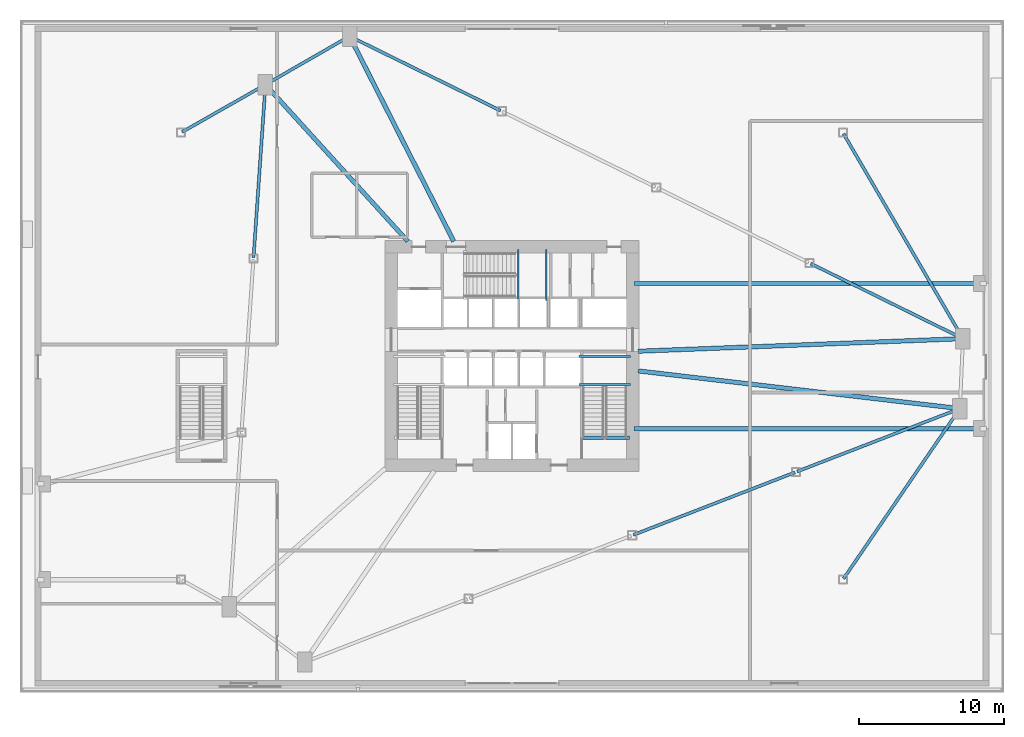
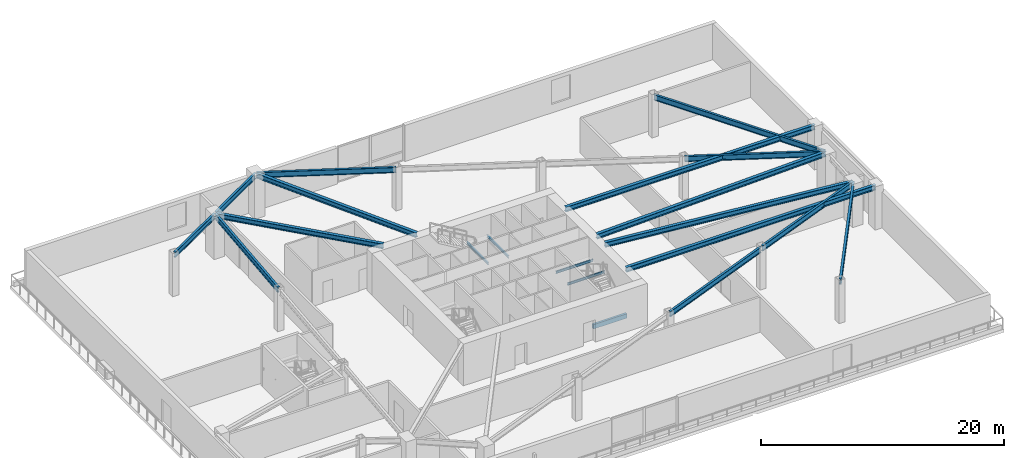
# One storey, part 5 of 16: 20 beams.
"""IFC4 building model written with IfcOpenShell, lengths in metres."""

import ifcopenshell
import ifcopenshell.guid

model = None  # the IFC model being written
_history = None  # IfcOwnerHistory: only IFC2X3 demands one
_inside = {}  # id of a spatial element -> (the spatial element, [elements in it])
_under = {}  # id of a project, library or spatial element -> (it, [spatial elements below it])
_declared = {}  # id of a project -> (the project, [libraries it declares])
_typed = {}  # id of a type object -> (the type object, [elements of that type])
_made_of = {}  # id of a material, layer set ... -> (it, [elements and type objects made of it])


def new_model(schema):
    """Start an empty IFC model of exactly this schema.

    Asked for "IFC4X3", IfcOpenShell would pick the latest addendum, in which some entities
    have other attributes; the version numbers below select the first issue.
    IFC2X3 requires an IfcOwnerHistory on every rooted entity: one is made here for all.
    """
    global model, _history
    if schema == "IFC4X3":
        model = ifcopenshell.file(schema_version=(4, 3, 0, 0))
    else:
        model = ifcopenshell.file(schema=schema)
    _inside.clear()
    _under.clear()
    _declared.clear()
    _typed.clear()
    _made_of.clear()
    _history = None
    if model.schema == "IFC2X3":
        org = make("IfcOrganization", Name="unknown")
        user = make(
            "IfcPersonAndOrganization",
            ThePerson=make("IfcPerson", FamilyName="unknown"),
            TheOrganization=org,
        )
        app = make(
            "IfcApplication",
            ApplicationDeveloper=org,
            Version="unknown",
            ApplicationFullName="unknown",
            ApplicationIdentifier="unknown",
        )
        _history = make(
            "IfcOwnerHistory",
            OwningUser=user,
            OwningApplication=app,
            ChangeAction="ADDED",
            CreationDate=0,
        )
    return model


def make(cls, **values):
    """One entity of the class cls with the attributes given. An attribute that is None is left unset."""
    return model.create_entity(
        cls, **{name: value for name, value in values.items() if value is not None}
    )


def rooted(cls, **values):
    """An entity with a GlobalId (a new one), such as an element, a storey or a relation."""
    return make(cls, GlobalId=ifcopenshell.guid.new(), OwnerHistory=_history, **values)


def si_unit(unit_type, name, prefix=None):
    """IfcSIUnit, for example si_unit("LENGTHUNIT", "METRE", prefix="MILLI")."""
    return make("IfcSIUnit", UnitType=unit_type, Prefix=prefix, Name=name)


def assignment(units):
    """IfcUnitAssignment: the units of a project."""
    return None if units is None else make("IfcUnitAssignment", Units=units)


def point(xyz):
    """IfcCartesianPoint."""
    return None if xyz is None else make("IfcCartesianPoint", Coordinates=xyz)


def direction(xyz):
    """IfcDirection."""
    return None if xyz is None else make("IfcDirection", DirectionRatios=xyz)


def frame(location, z_axis=None, x_axis=None):
    """IfcAxis2Placement3D, a coordinate frame: its origin and axes. An axis left out is left unset."""
    return make(
        "IfcAxis2Placement3D",
        Location=point(location),
        Axis=direction(z_axis),
        RefDirection=direction(x_axis),
    )


def frame_2d(location, x_axis=None):
    """IfcAxis2Placement2D, a coordinate frame in the plane: its origin and x axis."""
    return make(
        "IfcAxis2Placement2D", Location=point(location), RefDirection=direction(x_axis)
    )


def origin():
    """The frame at (0, 0, 0) with its axes left unset."""
    return frame((0.0, 0.0, 0.0))


def origin_2d():
    """The frame at (0, 0) in the plane with its x axis left unset."""
    return frame_2d((0.0, 0.0))


def place(relative_to, where):
    """IfcLocalPlacement: puts the frame where relative to a parent placement (None: the world)."""
    return make(
        "IfcLocalPlacement", PlacementRelTo=relative_to, RelativePlacement=where
    )


def context(
    kind, dimensions, precision=None, world=None, true_north=None, identifier=None
):
    """IfcGeometricRepresentationContext, for example the 3D "Model" context."""
    return make(
        "IfcGeometricRepresentationContext",
        ContextIdentifier=identifier,
        ContextType=kind,
        CoordinateSpaceDimension=dimensions,
        Precision=precision,
        WorldCoordinateSystem=world,
        TrueNorth=true_north,
    )


def subcontext(parent, identifier, kind, view, scale=None):
    """IfcGeometricRepresentationSubContext, for example "Body" below "Model"."""
    return make(
        "IfcGeometricRepresentationSubContext",
        ContextIdentifier=identifier,
        ContextType=kind,
        ParentContext=parent,
        TargetScale=scale,
        TargetView=view,
    )


def project(units=None, contexts=None):
    """IfcProject with its units and contexts."""
    return rooted(
        "IfcProject",
        Name="project",
        RepresentationContexts=contexts,
        UnitsInContext=assignment(units),
    )


def spatial(cls, under=None, at=None, **own):
    """A site, building, storey or space (cls), placed at a placement, below another one or the project."""
    s = rooted(cls, ObjectPlacement=at, **own)
    if under is not None:
        _under.setdefault(under.id(), (under, []))[1].append(s)
    return s


def profile(cls, at=None, kind="AREA", **sizes):
    """A parametric profile (cls). Its sizes go by their IFC names, for example OverallWidth=200.0."""
    return make(cls, ProfileType=kind, Position=at, **sizes)


def rectangle(**sizes):
    """IfcRectangleProfileDef."""
    return profile("IfcRectangleProfileDef", **sizes)


def i_section(**sizes):
    """IfcIShapeProfileDef."""
    return profile("IfcIShapeProfileDef", **sizes)


def extrude(swept, where, along, depth):
    """IfcExtrudedAreaSolid: the profile swept, set in the frame where, extruded along a direction by depth."""
    return make(
        "IfcExtrudedAreaSolid",
        SweptArea=swept,
        Position=where,
        ExtrudedDirection=direction(along),
        Depth=depth,
    )


def shape(context_of_items, identifier, shape_type, items):
    """IfcShapeRepresentation: the items that make up one representation, for example the "Body"."""
    return make(
        "IfcShapeRepresentation",
        ContextOfItems=context_of_items,
        RepresentationIdentifier=identifier,
        RepresentationType=shape_type,
        Items=items,
    )


def source(mapping_origin, context_of_items, identifier, shape_type, items):
    """IfcRepresentationMap: a shape defined once, which mapped items show again and again."""
    return make(
        "IfcRepresentationMap",
        MappingOrigin=mapping_origin,
        MappedRepresentation=shape(context_of_items, identifier, shape_type, items),
    )


def transform(
    local_origin,
    x_axis=None,
    y_axis=None,
    z_axis=None,
    scale=None,
    scale2=None,
    scale3=None,
    uniform=True,
):
    """IfcCartesianTransformationOperator3D, or its non-uniform kind. x_axis, y_axis, z_axis: its Axis1, 2, 3."""
    if uniform:
        return make(
            "IfcCartesianTransformationOperator3D",
            Axis1=direction(x_axis),
            Axis2=direction(y_axis),
            LocalOrigin=point(local_origin),
            Scale=scale,
            Axis3=direction(z_axis),
        )
    return make(
        "IfcCartesianTransformationOperator3DnonUniform",
        Axis1=direction(x_axis),
        Axis2=direction(y_axis),
        LocalOrigin=point(local_origin),
        Scale=scale,
        Axis3=direction(z_axis),
        Scale2=scale2,
        Scale3=scale3,
    )


def mapped(mapping_source, mapping_target):
    """IfcMappedItem: shows the shape of a source again, moved by a transform."""
    return make(
        "IfcMappedItem", MappingSource=mapping_source, MappingTarget=mapping_target
    )


def material(Name=None, Category=None):
    """IfcMaterial."""
    return make("IfcMaterial", Name=Name, Category=Category)


def material_profile(
    of_material, cross_section, Name=None, Category=None, Priority=None
):
    """IfcMaterialProfile: a cross section and its material."""
    return make(
        "IfcMaterialProfile",
        Name=Name,
        Material=of_material,
        Profile=cross_section,
        Priority=Priority,
        Category=Category,
    )


def profile_set(profiles, Name=None, composite=None):
    """IfcMaterialProfileSet."""
    return make(
        "IfcMaterialProfileSet",
        Name=Name,
        MaterialProfiles=profiles,
        CompositeProfile=composite,
    )


def made_of(thing, what):
    """Note that an element or type object is made of a material, layer set ...; save() writes the relation."""
    if what is not None:
        _made_of.setdefault(what.id(), (what, []))[1].append(thing)
    return thing


def type_object(cls, material=None, **own):
    """A type object (cls), such as IfcWallType, which elements share."""
    return made_of(rooted(cls, **own), material)


def element(
    cls,
    number,
    at=None,
    inside=None,
    cuts=None,
    type_object=None,
    material=None,
    context=None,
    identifier="Body",
    shape_type=None,
    held_by="IfcProductDefinitionShape",
    body=None,
    shapes=None,
    **own,
):
    """One element of the class cls, such as IfcWall. Its Tag is "e" and its number.

    at: its placement. inside: the storey or other place that contains it. cuts: it is an
    opening in that element (IfcRelVoidsElement). A single representation is given by context,
    identifier, shape_type and body (its items); several are given by shapes. held_by: the class
    of the entity that holds the representations. save() writes the other relations.
    """
    e = rooted(cls, Tag="e%d" % number, ObjectPlacement=at, **own)
    if body is not None:
        shapes = [shape(context, identifier, shape_type, body)]
    if shapes is not None:
        e.Representation = make(held_by, Representations=shapes)
    if inside is not None:
        _inside.setdefault(inside.id(), (inside, []))[1].append(e)
    if cuts is not None:
        rooted(
            "IfcRelVoidsElement", RelatingBuildingElement=cuts, RelatedOpeningElement=e
        )
    if type_object is not None:
        _typed.setdefault(type_object.id(), (type_object, []))[1].append(e)
    return made_of(e, material)


def aggregate(whole, parts):
    """IfcRelAggregates: a whole, such as a stair, and the parts it consists of."""
    return rooted("IfcRelAggregates", RelatingObject=whole, RelatedObjects=parts)


def save(model, path):
    """Write the relations noted so far, then the file.

    IfcRelAggregates (storeys below a building ...), IfcRelContainedInSpatialStructure (elements
    in a storey), IfcRelDefinesByType, IfcRelAssociatesMaterial and IfcRelDeclares: one each for
    every whole, place, type object, material and project.
    """
    for whole, parts in _under.values():
        aggregate(whole, parts)
    for where, things in _inside.values():
        rooted(
            "IfcRelContainedInSpatialStructure",
            RelatedElements=things,
            RelatingStructure=where,
        )
    for kind, things in _typed.values():
        rooted("IfcRelDefinesByType", RelatedObjects=things, RelatingType=kind)
    for what, things in _made_of.values():
        rooted("IfcRelAssociatesMaterial", RelatedObjects=things, RelatingMaterial=what)
    for by, libraries in _declared.values():
        rooted("IfcRelDeclares", RelatingContext=by, RelatedDefinitions=libraries)
    model.write(path)


model = new_model("IFC4")

# Units and contexts
model_context = context("Model", 3, precision=1e-05, world=origin(), true_north=direction((0.0, 1.0)))
body_context = subcontext(model_context, "Body", "Model", "MODEL_VIEW")
ifc_project = project(units=[si_unit("LENGTHUNIT", "METRE"), si_unit("AREAUNIT", "SQUARE_METRE"), si_unit("VOLUMEUNIT", "CUBIC_METRE"), si_unit("PLANEANGLEUNIT", "RADIAN"), si_unit("MASSUNIT", "GRAM", prefix="KILO")], contexts=[model_context])

# Site, building, storey
site_placement = place(None, origin())
site = spatial("IfcSite", under=ifc_project, at=site_placement, CompositionType="ELEMENT")
building_placement = place(site_placement, origin())
building = spatial("IfcBuilding", under=site, at=building_placement, Name="Olszyna Solenne Hotel", CompositionType="ELEMENT")
storey_placement = place(building_placement, frame((0.0, 0.0, 15.60009765625)))
storey = spatial("IfcBuildingStorey", under=building, at=storey_placement, Name="L03", CompositionType="ELEMENT", Elevation=15.60009765625)

# Beams
ifc_material_1 = material(Name="Steel S355J2", Category="steel")
ifc_material_profile_1 = material_profile(ifc_material_1, i_section(OverallWidth=0.300048828125, OverallDepth=0.489990234375, WebThickness=0.011962890625, FlangeThickness=0.02294921875, at=origin_2d()), Name="HEA 500", Category="load-bearing")
ifc_profile_set_1 = profile_set([ifc_material_profile_1], Name="Steel S355J2")
beam_type_1 = type_object("IfcBeamType", Name="BM-G1", PredefinedType="BEAM", material=ifc_profile_set_1)
shared_shape_1 = source(origin(), body_context, "Body", "SweptSolid", [
    extrude(i_section(OverallWidth=0.300048828125, OverallDepth=0.489990234375, WebThickness=0.011962890625, FlangeThickness=0.02294921875, at=origin_2d()), origin(), (0.0, 0.0, 1.0), 22.2294921875),
])
beam_1_placement = place(storey_placement, frame((68.778564453125, 22.993896484375, 3.934814453125), z_axis=(-0.993206789888, 0.116362676665, 0.0), x_axis=(-0.116362676665, -0.993206789888, 0.0)))
element("IfcBeam", 1, at=beam_1_placement, inside=storey, type_object=beam_type_1, Name="Podium radial girder BM-G1 B-L03-0116", PredefinedType="BEAM", context=body_context, shape_type="MappedRepresentation", body=[
    mapped(shared_shape_1, transform((0.0, 0.0, 0.0), x_axis=(1.0, 0.0, 0.0), y_axis=(0.0, 1.0, 0.0), z_axis=(0.0, 0.0, 1.0), scale=1.0)),
])
shared_shape_2 = source(origin(), body_context, "Body", "SweptSolid", [
    extrude(i_section(OverallWidth=0.300048828125, OverallDepth=0.489990234375, WebThickness=0.011962890625, FlangeThickness=0.02294921875, at=origin_2d()), origin(), (0.0, 0.0, 1.0), 22.309326171875),
])
beam_2_placement = place(storey_placement, frame((68.99267578125, 27.7998046875, 3.934814453125), z_axis=(-0.999251460368, -0.038684867238, 0.0), x_axis=(0.038684867238, -0.999251460368, 0.0)))
element("IfcBeam", 2, at=beam_2_placement, inside=storey, type_object=beam_type_1, Name="Podium radial girder BM-G1 B-L03-0118", PredefinedType="BEAM", context=body_context, shape_type="MappedRepresentation", body=[
    mapped(shared_shape_2, transform((0.0, 0.0, 0.0), x_axis=(1.0, 0.0, 0.0), y_axis=(0.0, 1.0, 0.0), z_axis=(0.0, 0.0, 1.0), scale=1.0)),
])
shared_shape_3 = source(origin(), body_context, "Body", "SweptSolid", [
    extrude(i_section(OverallWidth=0.300048828125, OverallDepth=0.489990234375, WebThickness=0.011962890625, FlangeThickness=0.02294921875, at=origin_2d()), origin(), (0.0, 0.0, 1.0), 15.77392578125),
])
beam_3_placement = place(storey_placement, frame((26.84521484375, 48.5703125, 3.934814453125), z_axis=(0.452702772285, -0.891661482832, 0.0), x_axis=(0.891661482832, 0.452702772285, 0.0)))
element("IfcBeam", 3, at=beam_3_placement, inside=storey, type_object=beam_type_1, Name="Podium radial girder BM-G1 B-L03-0120", PredefinedType="BEAM", context=body_context, shape_type="MappedRepresentation", body=[
    mapped(shared_shape_3, transform((0.0, 0.0, 0.0), x_axis=(1.0, 0.0, 0.0), y_axis=(0.0, 1.0, 0.0), z_axis=(0.0, 0.0, 1.0), scale=1.0)),
])
ifc_material_profile_2 = material_profile(ifc_material_1, i_section(OverallWidth=0.2099609375, OverallDepth=0.550048828125, WebThickness=0.010986328125, FlangeThickness=0.01708984375, at=origin_2d()), Name="IPE 550", Category="load-bearing")
ifc_profile_set_2 = profile_set([ifc_material_profile_2], Name="Steel S355J2")
beam_type_2 = type_object("IfcBeamType", Name="BM-F2", PredefinedType="BEAM", material=ifc_profile_set_2)
shared_shape_4 = source(origin(), body_context, "Body", "SweptSolid", [
    extrude(i_section(OverallWidth=0.2099609375, OverallDepth=0.550048828125, WebThickness=0.010986328125, FlangeThickness=0.01708984375, at=origin_2d()), origin(), (0.0, 0.0, 1.0), 14.1162109375),
])
beam_4_placement = place(storey_placement, frame((60.84521484375, 11.26611328125, 3.90478515625), z_axis=(0.564440227012, 0.825473942733, 0.0), x_axis=(-0.825473942733, 0.564440227012, 0.0)))
element("IfcBeam", 4, at=beam_4_placement, inside=storey, type_object=beam_type_2, Name="Podium terrace girder BM-F2 B-L03-0139", PredefinedType="BEAM", context=body_context, shape_type="MappedRepresentation", body=[
    mapped(shared_shape_4, transform((0.0, 0.0, 0.0), x_axis=(1.0, 0.0, 0.0), y_axis=(0.0, 1.0, 0.0), z_axis=(0.0, 0.0, 1.0), scale=1.0)),
])
shared_shape_5 = source(origin(), body_context, "Body", "SweptSolid", [
    extrude(i_section(OverallWidth=0.2099609375, OverallDepth=0.550048828125, WebThickness=0.010986328125, FlangeThickness=0.01708984375, at=origin_2d()), origin(), (0.0, 0.0, 1.0), 16.271484375),
])
beam_5_placement = place(storey_placement, frame((60.84033203125, 41.930908203125, 3.90478515625), z_axis=(0.503453956375, -0.864022056322, 0.0), x_axis=(0.864022056322, 0.503453956375, 0.0)))
element("IfcBeam", 5, at=beam_5_placement, inside=storey, type_object=beam_type_2, Name="Podium terrace girder BM-F2 B-L03-0140", PredefinedType="BEAM", context=body_context, shape_type="MappedRepresentation", body=[
    mapped(shared_shape_5, transform((0.0, 0.0, 0.0), x_axis=(1.0, 0.0, 0.0), y_axis=(0.0, 1.0, 0.0), z_axis=(0.0, 0.0, 1.0), scale=1.0)),
])
shared_shape_6 = source(origin(), body_context, "Body", "SweptSolid", [
    extrude(i_section(OverallWidth=0.300048828125, OverallDepth=0.489990234375, WebThickness=0.011962890625, FlangeThickness=0.02294921875, at=origin_2d()), origin(), (0.0, 0.0, 1.0), 14.502197265625),
])
beam_6_placement = place(storey_placement, frame((21.068115234375, 45.250244140625, 3.934814453125), z_axis=(0.672176589992, -0.740390864252, 0.0), x_axis=(0.740390864252, 0.672176589992, 0.0)))
element("IfcBeam", 6, at=beam_6_placement, inside=storey, type_object=beam_type_1, Name="Podium radial girder BM-G1 B-L03-0122", PredefinedType="BEAM", context=body_context, shape_type="MappedRepresentation", body=[
    mapped(shared_shape_6, transform((0.0, 0.0, 0.0), x_axis=(1.0, 0.0, 0.0), y_axis=(0.0, 1.0, 0.0), z_axis=(0.0, 0.0, 1.0), scale=1.0)),
])
shared_shape_7 = source(origin(), body_context, "Body", "SweptSolid", [
    extrude(i_section(OverallWidth=0.2099609375, OverallDepth=0.550048828125, WebThickness=0.010986328125, FlangeThickness=0.01708984375, at=origin_2d()), origin(), (0.0, 0.0, 1.0), 11.6201171875),
])
beam_7_placement = place(storey_placement, frame((69.000732421875, 27.83837890625, 3.90478515625), z_axis=(-0.896896785097, 0.442239931352, 0.0), x_axis=(-0.442239931352, -0.896896785097, 0.0)))
element("IfcBeam", 7, at=beam_7_placement, inside=storey, type_object=beam_type_2, Name="Podium ring girder BM-F2 B-L03-0117", PredefinedType="BEAM", context=body_context, shape_type="MappedRepresentation", body=[
    mapped(shared_shape_7, transform((0.0, 0.0, 0.0), x_axis=(1.0, 0.0, 0.0), y_axis=(0.0, 1.0, 0.0), z_axis=(0.0, 0.0, 1.0), scale=1.0)),
])
shared_shape_8 = source(origin(), body_context, "Body", "SweptSolid", [
    extrude(i_section(OverallWidth=0.2099609375, OverallDepth=0.550048828125, WebThickness=0.010986328125, FlangeThickness=0.01708984375, at=origin_2d()), origin(), (0.0, 0.0, 1.0), 11.5224609375),
])
beam_8_placement = place(storey_placement, frame((37.215087890625, 43.510498046875, 3.90478515625), z_axis=(-0.896896659494, 0.442240186085, 0.0), x_axis=(-0.442240186085, -0.896896659494, 0.0)))
element("IfcBeam", 8, at=beam_8_placement, inside=storey, type_object=beam_type_2, Name="Podium ring girder BM-F2 BRG-L03-24", PredefinedType="BEAM", context=body_context, shape_type="MappedRepresentation", body=[
    mapped(shared_shape_8, transform((0.0, 0.0, 0.0), x_axis=(1.0, 0.0, 0.0), y_axis=(0.0, 1.0, 0.0), z_axis=(0.0, 0.0, 1.0), scale=1.0)),
])
shared_shape_9 = source(origin(), body_context, "Body", "SweptSolid", [
    extrude(i_section(OverallWidth=0.2099609375, OverallDepth=0.550048828125, WebThickness=0.010986328125, FlangeThickness=0.01708984375, at=origin_2d()), origin(), (0.0, 0.0, 1.0), 6.524169921875),
])
beam_9_placement = place(storey_placement, frame((26.739501953125, 48.601806640625, 3.90478515625), z_axis=(-0.866881237844, -0.498514713397, 0.0), x_axis=(0.498514713397, -0.866881237844, 0.0)))
element("IfcBeam", 9, at=beam_9_placement, inside=storey, type_object=beam_type_2, Name="Podium ring girder BM-F2 B-L03-0119", PredefinedType="BEAM", context=body_context, shape_type="MappedRepresentation", body=[
    mapped(shared_shape_9, transform((0.0, 0.0, 0.0), x_axis=(1.0, 0.0, 0.0), y_axis=(0.0, 1.0, 0.0), z_axis=(0.0, 0.0, 1.0), scale=1.0)),
])
shared_shape_10 = source(origin(), body_context, "Body", "SweptSolid", [
    extrude(i_section(OverallWidth=0.2099609375, OverallDepth=0.550048828125, WebThickness=0.010986328125, FlangeThickness=0.01708984375, at=origin_2d()), origin(), (0.0, 0.0, 1.0), 11.857666015625),
])
beam_10_placement = place(storey_placement, frame((21.0087890625, 45.2294921875, 3.90478515625), z_axis=(-0.068850141024, -0.997627013508, 0.0), x_axis=(0.997627013508, -0.068850141024, 0.0)))
element("IfcBeam", 10, at=beam_10_placement, inside=storey, type_object=beam_type_2, Name="Podium ring girder BM-F2 B-L03-0121", PredefinedType="BEAM", context=body_context, shape_type="MappedRepresentation", body=[
    mapped(shared_shape_10, transform((0.0, 0.0, 0.0), x_axis=(1.0, 0.0, 0.0), y_axis=(0.0, 1.0, 0.0), z_axis=(0.0, 0.0, 1.0), scale=1.0)),
])
shared_shape_11 = source(origin(), body_context, "Body", "SweptSolid", [
    extrude(i_section(OverallWidth=0.2099609375, OverallDepth=0.550048828125, WebThickness=0.010986328125, FlangeThickness=0.01708984375, at=origin_2d()), origin(), (0.0, 0.0, 1.0), 11.94091796875),
])
for number, where, z_axis, x_axis, name in (
    (11, (46.36083984375, 14.28125, 3.90478515625), (0.932642459435, 0.360801944091, 0.0), (-0.360801944091, 0.932642459435, 0.0), "Podium ring girder BM-F2 BRG-L03-63"),
    (12, (57.646728515625, 18.6474609375, 3.90478515625), (0.932642459435, 0.360801944091, 0.0), (-0.360801944091, 0.932642459435, 0.0), "Podium ring girder BM-F2 BRG-L03-64"),
):
    element("IfcBeam", number, at=place(storey_placement, frame(where, z_axis=z_axis, x_axis=x_axis)), inside=storey, type_object=beam_type_2, Name=name, PredefinedType="BEAM", context=body_context, shape_type="MappedRepresentation", body=[
        mapped(shared_shape_11, transform((0.0, 0.0, 0.0), x_axis=(1.0, 0.0, 0.0), y_axis=(0.0, 1.0, 0.0), z_axis=(0.0, 0.0, 1.0), scale=1.0)),
    ])
shared_shape_12 = source(origin(), body_context, "Body", "SweptSolid", [
    extrude(i_section(OverallWidth=0.300048828125, OverallDepth=0.489990234375, WebThickness=0.011962890625, FlangeThickness=0.02294921875, at=origin_2d()), origin(), (0.0, 0.0, 1.0), 23.739990234375),
])
for number, where, z_axis, x_axis, name in (
    (13, (46.39990234375, 21.60009765625, 3.934814453125), (1.0, 0.0, 0.0), (0.0, 1.0, 0.0), "Terrace East interior back-span girder BM-G1 B-L03-0132"),
    (14, (46.39990234375, 31.60009765625, 3.934814453125), (1.0, 0.0, 0.0), (0.0, 1.0, 0.0), "Terrace East interior back-span girder BM-G1 B-L03-0134"),
):
    element("IfcBeam", number, at=place(storey_placement, frame(where, z_axis=z_axis, x_axis=x_axis)), inside=storey, type_object=beam_type_1, Name=name, PredefinedType="BEAM", context=body_context, shape_type="MappedRepresentation", body=[
        mapped(shared_shape_12, transform((0.0, 0.0, 0.0), x_axis=(1.0, 0.0, 0.0), y_axis=(0.0, 1.0, 0.0), z_axis=(0.0, 0.0, 1.0), scale=1.0)),
    ])
shared_shape_13 = source(origin(), body_context, "Body", "SweptSolid", [
    extrude(i_section(OverallWidth=0.2099609375, OverallDepth=0.550048828125, WebThickness=0.010986328125, FlangeThickness=0.01708984375, at=origin_2d()), origin(), (0.0, 0.0, 1.0), 6.5302734375),
])
beam_11_placement = place(storey_placement, frame((15.26953125, 42.03955078125, 3.90478515625), z_axis=(0.869086244162, 0.494660590919, 0.0), x_axis=(-0.494660590919, 0.869086244162, 0.0)))
element("IfcBeam", 15, at=beam_11_placement, inside=storey, type_object=beam_type_2, Name="Podium terrace girder BM-F2 B-L03-0138", PredefinedType="BEAM", context=body_context, shape_type="MappedRepresentation", body=[
    mapped(shared_shape_13, transform((0.0, 0.0, 0.0), x_axis=(1.0, 0.0, 0.0), y_axis=(0.0, 1.0, 0.0), z_axis=(0.0, 0.0, 1.0), scale=1.0)),
])
ifc_material_profile_3 = material_profile(ifc_material_1, i_section(OverallWidth=0.1201171875, OverallDepth=0.239990234375, WebThickness=0.006103515625, FlangeThickness=0.009765625, at=origin_2d()), Name="IPE 240", Category="load-bearing")
ifc_profile_set_3 = profile_set([ifc_material_profile_3], Name="Steel S355J2")
beam_type_3 = type_object("IfcBeamType", Name="JS-03", PredefinedType="JOIST", material=ifc_profile_set_3)
shared_shape_14 = source(origin(), body_context, "Body", "SweptSolid", [
    extrude(i_section(OverallWidth=0.1201171875, OverallDepth=0.239990234375, WebThickness=0.006103515625, FlangeThickness=0.009765625, at=origin_2d()), origin(), (0.0, 0.0, 1.0), 3.539794921875),
])
for number, where, z_axis, x_axis, name in (
    (16, (46.159912109375, 24.64990234375, 1.9248046875), (-1.0, 0.0, 0.0), (0.0, -1.0, 0.0), "Stair landing support beam JS-03 SLB-ST2-0251"),
    (17, (46.159912109375, 26.580078125, 1.9248046875), (-1.0, 0.0, 0.0), (0.0, -1.0, 0.0), "Stair landing support beam JS-03 SLB-ST2-0252"),
):
    element("IfcBeam", number, at=place(storey_placement, frame(where, z_axis=z_axis, x_axis=x_axis)), inside=storey, type_object=beam_type_3, Name=name, PredefinedType="JOIST", context=body_context, shape_type="MappedRepresentation", body=[
        mapped(shared_shape_14, transform((0.0, 0.0, 0.0), x_axis=(1.0, 0.0, 0.0), y_axis=(0.0, 1.0, 0.0), z_axis=(0.0, 0.0, 1.0), scale=1.0)),
    ])
ifc_material_2 = material(Name="Concrete C50/60", Category="concrete")
ifc_material_profile_4 = material_profile(ifc_material_2, rectangle(XDim=0.219970703125, YDim=0.43994140625, at=origin_2d()), Name="RC 220x440", Category="load-bearing")
ifc_profile_set_4 = profile_set([ifc_material_profile_4], Name="Concrete C50/60")
beam_type_4 = type_object("IfcBeamType", Name="BM-ST1", PredefinedType="BEAM", material=ifc_profile_set_4)
shared_shape_15 = source(origin(), body_context, "Body", "SweptSolid", [
    extrude(rectangle(XDim=0.219970703125, YDim=0.43994140625, at=origin_2d()), origin(), (0.0, 0.0, 1.0), 3.18017578125),
])
beam_12_placement = place(storey_placement, frame((46.080078125, 20.97998046875, -0.205078125), z_axis=(-1.0, 0.0, 0.0), x_axis=(0.0, -1.0, 0.0)))
element("IfcBeam", 18, at=beam_12_placement, inside=storey, type_object=beam_type_4, Name="Concrete stair trimmer beam BM-ST1 SHB-ST2-0405", PredefinedType="BEAM", context=body_context, shape_type="MappedRepresentation", body=[
    mapped(shared_shape_15, transform((0.0, 0.0, 0.0), x_axis=(1.0, 0.0, 0.0), y_axis=(0.0, 1.0, 0.0), z_axis=(0.0, 0.0, 1.0), scale=1.0)),
])
shared_shape_16 = source(origin(), body_context, "Body", "SweptSolid", [
    extrude(i_section(OverallWidth=0.1201171875, OverallDepth=0.239990234375, WebThickness=0.006103515625, FlangeThickness=0.009765625, at=origin_2d()), origin(), (0.0, 0.0, 1.0), 3.5400390625),
])
for number, where, z_axis, x_axis, name in (
    (19, (38.429931640625, 30.419921875, 1.9248046875), (0.0, 1.0, 0.0), (-1.0, 0.0, 0.0), "Stair landing support beam JS-03 SLB-ST3-0491"),
    (20, (40.360107421875, 30.419921875, 1.9248046875), (0.0, 1.0, 0.0), (-1.0, 0.0, 0.0), "Stair landing support beam JS-03 SLB-ST3-0492"),
):
    element("IfcBeam", number, at=place(storey_placement, frame(where, z_axis=z_axis, x_axis=x_axis)), inside=storey, type_object=beam_type_3, Name=name, PredefinedType="JOIST", context=body_context, shape_type="MappedRepresentation", body=[
        mapped(shared_shape_16, transform((0.0, 0.0, 0.0), x_axis=(1.0, 0.0, 0.0), y_axis=(0.0, 1.0, 0.0), z_axis=(0.0, 0.0, 1.0), scale=1.0)),
    ])

save(model, "model.ifc")
